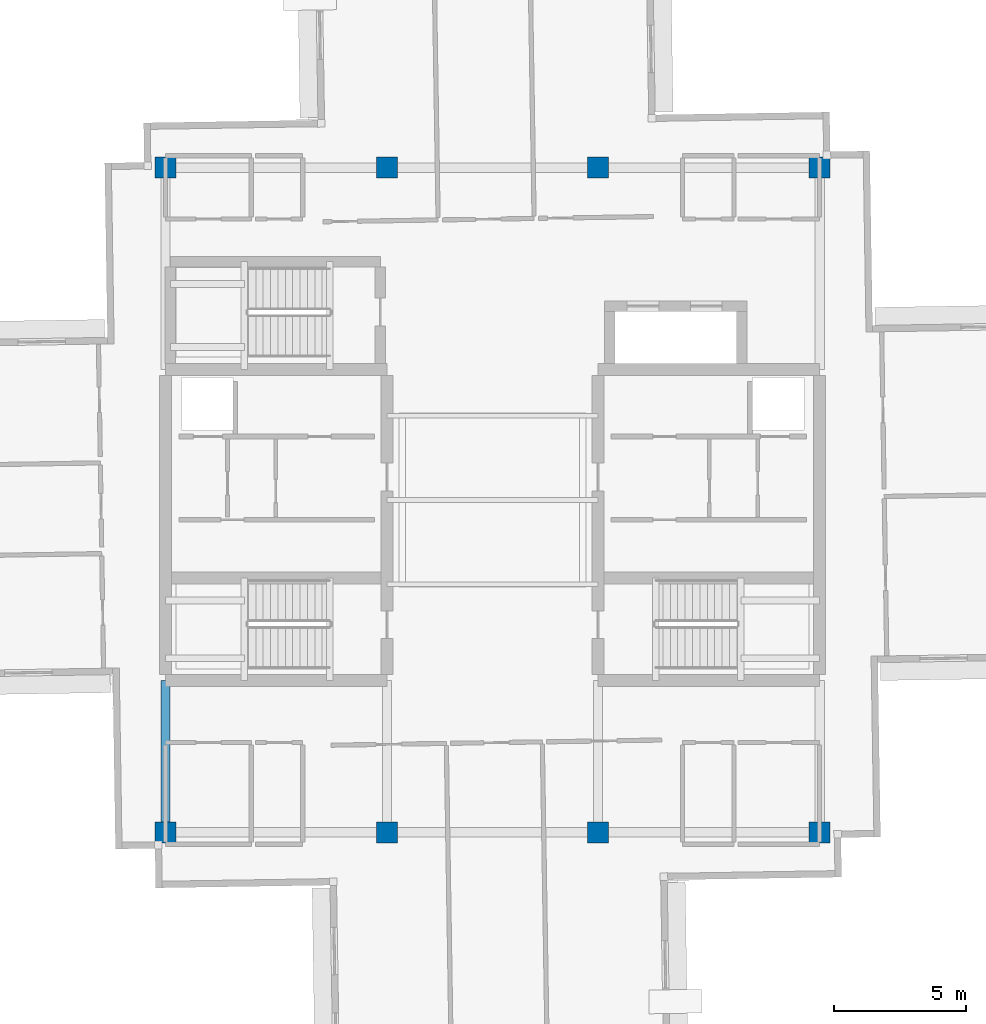
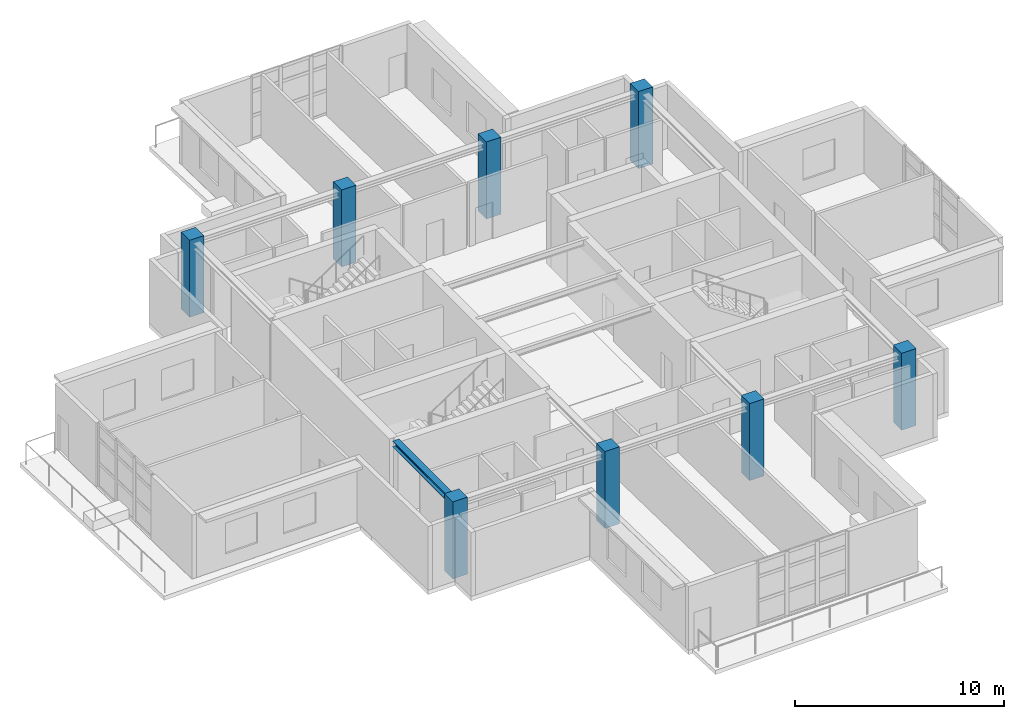
# One storey, part 1 of 18: 8 columns, 1 beam.
"""IFC4 building model written with IfcOpenShell, lengths in metres."""

from ifc_helpers import new_model, si_unit, direction, frame, origin, origin_2d, place, context, subcontext, project, spatial, rectangle, i_section, extrude, material, material_profile, profile_set, type_object, element, save


model = new_model("IFC4")

# Units and contexts
model_context = context("Model", 3, precision=1e-05, world=origin(), true_north=direction((0.0, 1.0)))
body_context = subcontext(model_context, "Body", "Model", "MODEL_VIEW")
ifc_project = project(units=[si_unit("LENGTHUNIT", "METRE"), si_unit("AREAUNIT", "SQUARE_METRE"), si_unit("VOLUMEUNIT", "CUBIC_METRE"), si_unit("PLANEANGLEUNIT", "RADIAN"), si_unit("MASSUNIT", "GRAM", prefix="KILO")], contexts=[model_context])

# Site, building, storey
site_placement = place(None, origin())
site = spatial("IfcSite", under=ifc_project, at=site_placement, CompositionType="ELEMENT")
building_placement = place(site_placement, origin())
building = spatial("IfcBuilding", under=site, at=building_placement, Name="Qingluan Cross Belvedere", CompositionType="ELEMENT")
storey_placement = place(building_placement, frame((0.0, 0.0, 303.89990234375)))
storey = spatial("IfcBuildingStorey", under=building, at=storey_placement, Name="L75", CompositionType="ELEMENT", Elevation=303.89990234375)

# Columns
ifc_material_1 = material(Name="Concrete C50", Category="concrete")
ifc_material_profile_1 = material_profile(ifc_material_1, rectangle(XDim=0.800048828125, YDim=0.800048828125, at=origin_2d()), Name="RC800x800")
ifc_profile_set_1 = profile_set([ifc_material_profile_1], Name="Concrete C50")
column_type = type_object("IfcColumnType", Name="Column_RC800x800", PredefinedType="COLUMN", material=ifc_profile_set_1)
for number, where, z_axis, x_axis, name in (
    (1, (-12.39990234375, -12.60009765625, 0.0), (0.0, 0.0, 1.0), (1.0, 0.0, 0.0), "Hub column L75-HC1"),
    (2, (12.39990234375, -12.60009765625, 0.0), (0.0, 0.0, 1.0), (1.0, 0.0, 0.0), "Hub column L75-HC2"),
    (3, (12.39990234375, 12.60009765625, 0.0), (0.0, 0.0, 1.0), (1.0, 0.0, 0.0), "Hub column L75-HC3"),
    (4, (-12.39990234375, 12.60009765625, 0.0), (0.0, 0.0, 1.0), (1.0, 0.0, 0.0), "Hub column L75-HC4"),
    (5, (-4.0, -12.60009765625, 0.0), (0.0, 0.0, 1.0), (1.0, 0.0, 0.0), "Hub column L75-HC5"),
    (6, (4.0, -12.60009765625, 0.0), (0.0, 0.0, 1.0), (1.0, 0.0, 0.0), "Hub column L75-HC6"),
    (7, (4.0, 12.60009765625, 0.0), (0.0, 0.0, 1.0), (1.0, 0.0, 0.0), "Hub column L75-HC7"),
    (8, (-4.0, 12.60009765625, 0.0), (0.0, 0.0, 1.0), (1.0, 0.0, 0.0), "Hub column L75-HC8"),
):
    element("IfcColumn", number, at=place(storey_placement, frame(where, z_axis=z_axis, x_axis=x_axis)), inside=storey, type_object=column_type, Name=name, PredefinedType="COLUMN", context=body_context, shape_type="SweptSolid", body=[
        extrude(rectangle(XDim=0.800048828125, YDim=0.800048828125, at=origin_2d()), origin(), (0.0, 0.0, 1.0), 4.5),
    ])

# Beam
ifc_material_2 = material(Name="Steel Q420GJB", Category="steel")
ifc_material_profile_2 = material_profile(ifc_material_2, i_section(OverallWidth=0.35009765625, OverallDepth=0.35009765625, WebThickness=0.011962890625, FlangeThickness=0.01904296875, FilletRadius=0.02001953125, at=origin_2d()), Name="HW350x350x12x19")
ifc_profile_set_2 = profile_set([ifc_material_profile_2], Name="Steel Q420GJB")
beam_type = type_object("IfcBeamType", Name="Steel_Girder_HW350x350x12x19", PredefinedType="USERDEFINED", material=ifc_profile_set_2)
beam_placement = place(storey_placement, frame((-12.39990234375, -12.60009765625, 4.0751953125), z_axis=(0.0, 1.0, 0.0), x_axis=(-1.0, 0.0, 0.0)))
element("IfcBeam", 9, at=beam_placement, inside=storey, type_object=beam_type, Name="Hub girder L75-HG-W1", ObjectType="GIRDER", PredefinedType="USERDEFINED", context=body_context, shape_type="SweptSolid", body=[
    extrude(i_section(OverallWidth=0.35009765625, OverallDepth=0.35009765625, WebThickness=0.011962890625, FlangeThickness=0.01904296875, FilletRadius=0.02001953125, at=origin_2d()), origin(), (0.0, 0.0, 1.0), 5.75),
])

save(model, "model.ifc")
